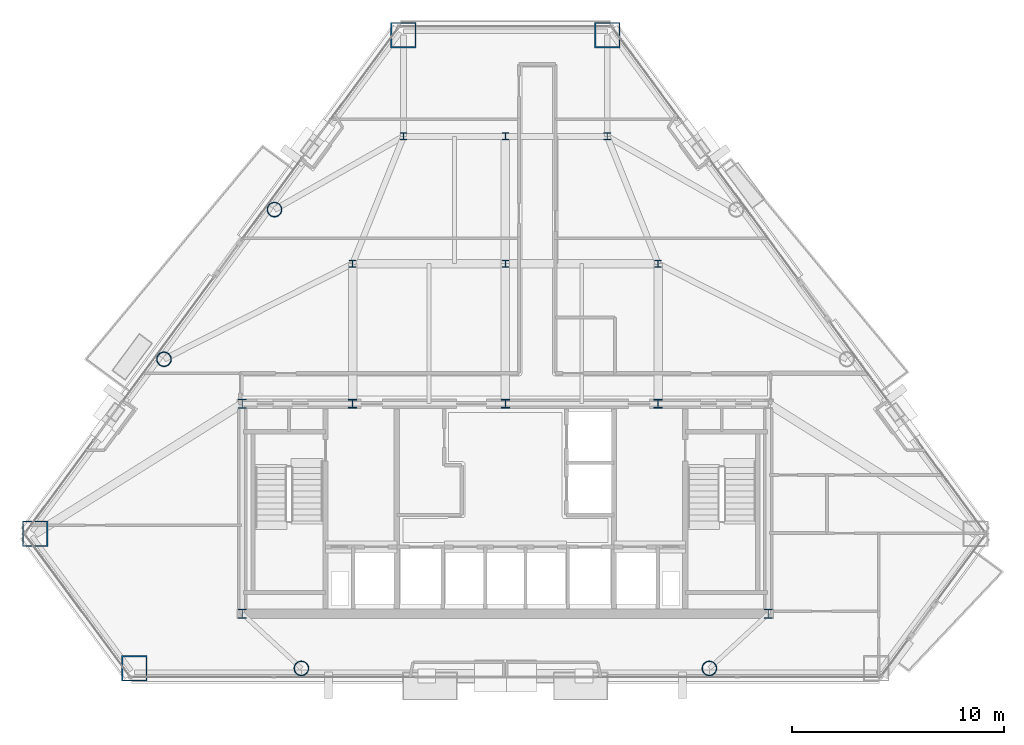
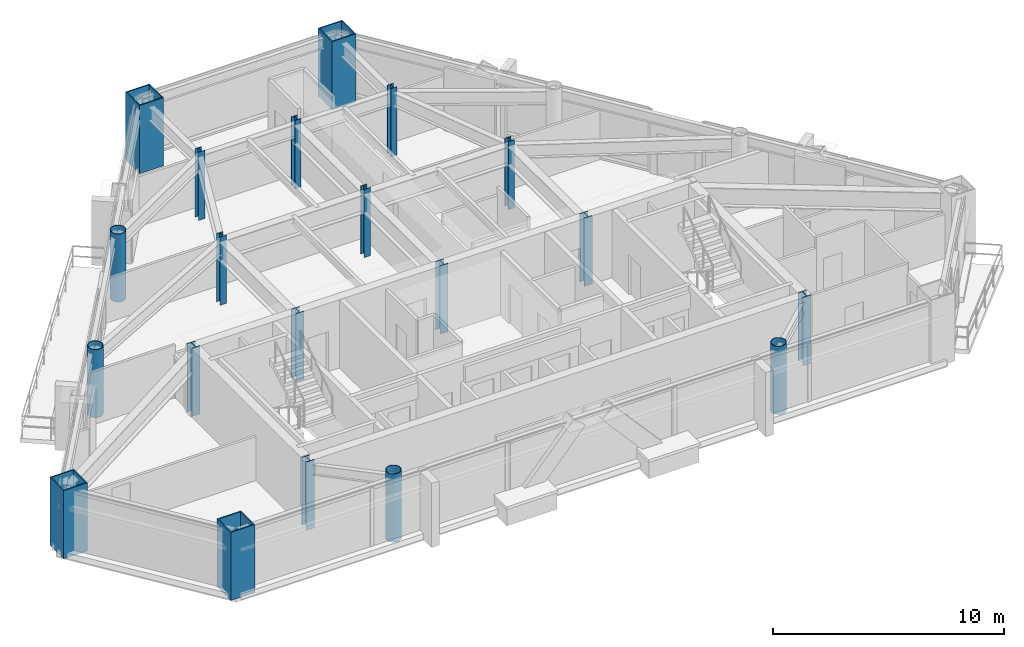
# One storey, part 1 of 11: 20 columns.
"""IFC4 building model written with IfcOpenShell, lengths in metres."""

from ifc_helpers import new_model, si_unit, direction, frame, origin, origin_2d, place, context, subcontext, project, spatial, hollow_rectangle, hollow_circle, i_section, extrude, material, material_profile, profile_set, type_object, element, save


model = new_model("IFC4")

# Units and contexts
model_context = context("Model", 3, precision=1e-05, world=origin(), true_north=direction((0.0, 1.0)))
body_context = subcontext(model_context, "Body", "Model", "MODEL_VIEW")
ifc_project = project(units=[si_unit("LENGTHUNIT", "METRE"), si_unit("AREAUNIT", "SQUARE_METRE"), si_unit("VOLUMEUNIT", "CUBIC_METRE"), si_unit("PLANEANGLEUNIT", "RADIAN"), si_unit("MASSUNIT", "GRAM", prefix="KILO")], contexts=[model_context])

# Site, building, storey
site_placement = place(None, origin())
site = spatial("IfcSite", under=ifc_project, at=site_placement, CompositionType="ELEMENT")
building_placement = place(site_placement, origin())
building = spatial("IfcBuilding", under=site, at=building_placement, Name="Talgorran Terracotta Tower", CompositionType="ELEMENT")
storey_placement = place(building_placement, frame((0.0, 0.0, 147.300048828125)))
storey = spatial("IfcBuildingStorey", under=building, at=storey_placement, Name="L38", CompositionType="ELEMENT", Elevation=147.300048828125)

# Columns
ifc_material_1 = material(Name="Steel S355 (300PLUS)", Category="steel")
ifc_material_profile_1 = material_profile(ifc_material_1, i_section(OverallWidth=0.311279296875, OverallDepth=0.3271484375, WebThickness=0.015625, FlangeThickness=0.02490234375, at=origin_2d()), Name="310UC158")
ifc_profile_set_1 = profile_set([ifc_material_profile_1], Name="Steel S355 (300PLUS)")
column_type_1 = type_object("IfcColumnType", Name="COL_310UC158", PredefinedType="COLUMN", material=ifc_profile_set_1)
for number, where, z_axis, x_axis, name in (
    (1, (-7.199951171875, 2.39990234375, 0.0), (0.0, 0.0, 1.0), (1.0, 0.0, 0.0), "L38 Interior Gravity Column IC1"),
    (2, (0.0, 2.39990234375, 0.0), (0.0, 0.0, 1.0), (1.0, 0.0, 0.0), "L38 Interior Gravity Column IC2"),
    (3, (7.199951171875, 2.39990234375, 0.0), (0.0, 0.0, 1.0), (1.0, 0.0, 0.0), "L38 Interior Gravity Column IC3"),
    (4, (-4.800048828125, 8.39990234375, 0.0), (0.0, 0.0, 1.0), (1.0, 0.0, 0.0), "L38 Interior Gravity Column IC4"),
    (5, (0.0, 8.39990234375, 0.0), (0.0, 0.0, 1.0), (1.0, 0.0, 0.0), "L38 Interior Gravity Column IC5"),
    (6, (4.800048828125, 8.39990234375, 0.0), (0.0, 0.0, 1.0), (1.0, 0.0, 0.0), "L38 Interior Gravity Column IC6"),
):
    element("IfcColumn", number, at=place(storey_placement, frame(where, z_axis=z_axis, x_axis=x_axis)), inside=storey, type_object=column_type_1, Name=name, PredefinedType="COLUMN", context=body_context, shape_type="SweptSolid", body=[
        extrude(i_section(OverallWidth=0.311279296875, OverallDepth=0.3271484375, WebThickness=0.015625, FlangeThickness=0.02490234375, at=origin_2d()), origin(), (0.0, 0.0, 1.0), 3.599853515625),
    ])
ifc_material_profile_2 = material_profile(ifc_material_1, i_section(OverallWidth=0.39990234375, OverallDepth=0.43994140625, WebThickness=0.028076171875, FlangeThickness=0.0400390625, at=origin_2d()), Name="400WC328")
ifc_profile_set_2 = profile_set([ifc_material_profile_2], Name="Steel S355 (300PLUS)")
column_type_2 = type_object("IfcColumnType", Name="COL_400WC328", PredefinedType="COLUMN", material=ifc_profile_set_2)
for number, where, z_axis, x_axis, name in (
    (7, (-12.39990234375, -14.10009765625, 0.0), (0.0, 0.0, 1.0), (1.0, 0.0, 0.0), "L38 Core Boundary Column CC1"),
    (8, (12.39990234375, -14.10009765625, 0.0), (0.0, 0.0, 1.0), (1.0, 0.0, 0.0), "L38 Core Boundary Column CC2"),
    (9, (-12.39990234375, -4.199951171875, 0.0), (0.0, 0.0, 1.0), (1.0, 0.0, 0.0), "L38 Core Boundary Column CC4"),
):
    element("IfcColumn", number, at=place(storey_placement, frame(where, z_axis=z_axis, x_axis=x_axis)), inside=storey, type_object=column_type_2, Name=name, PredefinedType="COLUMN", context=body_context, shape_type="SweptSolid", body=[
        extrude(i_section(OverallWidth=0.39990234375, OverallDepth=0.43994140625, WebThickness=0.028076171875, FlangeThickness=0.0400390625, at=origin_2d()), origin(), (0.0, 0.0, 1.0), 3.599853515625),
    ])
ifc_material_2 = material(Name="Steel Grade 350 (350L0)", Category="steel")
ifc_material_profile_3 = material_profile(ifc_material_2, hollow_rectangle(XDim=1.199951171875, YDim=1.199951171875, WallThickness=0.054931640625, at=origin_2d()), Name="CFT1200X1200X55")
ifc_profile_set_3 = profile_set([ifc_material_profile_3], Name="Steel Grade 350 (350L0)")
column_type_3 = type_object("IfcColumnType", Name="COL_CFT_1200", PredefinedType="COLUMN", material=ifc_profile_set_3)
for number, where, z_axis, x_axis, name in (
    (10, (-22.168212890625, -10.331298828125, 0.0), (0.0, 0.0, 1.0), (1.0, 0.0, 0.0), "L38 Corner CFT Mega-Column MC1"),
    (11, (-17.483642578125, -16.67431640625, 0.0), (0.0, 0.0, 1.0), (1.0, 0.0, 0.0), "L38 Corner CFT Mega-Column MC2"),
    (12, (4.80615234375, 13.177978515625, 0.0), (0.0, 0.0, 1.0), (1.0, 0.0, 0.0), "L38 Corner CFT Mega-Column MC5"),
    (13, (-4.80615234375, 13.177978515625, 0.0), (0.0, 0.0, 1.0), (1.0, 0.0, 0.0), "L38 Corner CFT Mega-Column MC6"),
):
    element("IfcColumn", number, at=place(storey_placement, frame(where, z_axis=z_axis, x_axis=x_axis)), inside=storey, type_object=column_type_3, Name=name, PredefinedType="COLUMN", context=body_context, shape_type="SweptSolid", body=[
        extrude(hollow_rectangle(XDim=1.199951171875, YDim=1.199951171875, WallThickness=0.054931640625, at=origin_2d()), origin(), (0.0, 0.0, 1.0), 3.599853515625),
    ])
ifc_material_profile_4 = material_profile(ifc_material_2, hollow_circle(Radius=0.35009765625, WallThickness=0.030029296875, at=origin_2d()), Name="CHS700X30")
ifc_profile_set_4 = profile_set([ifc_material_profile_4], Name="Steel Grade 350 (350L0)")
column_type_4 = type_object("IfcColumnType", Name="COL_CHS_700", PredefinedType="COLUMN", material=ifc_profile_set_4)
for number, where, z_axis, x_axis, name in (
    (14, (-9.615966796875, -16.67431640625, 0.0), (0.0, 0.0, 1.0), (1.0, 0.0, 0.0), "L38 Facet Perimeter Column FC1"),
    (15, (9.615966796875, -16.67431640625, 0.0), (0.0, 0.0, 1.0), (1.0, 0.0, 0.0), "L38 Facet Perimeter Column FC2"),
    (16, (-10.8828125, 4.94970703125, 0.0), (0.0, 0.0, 1.0), (1.0, 0.0, 0.0), "L38 Facet Perimeter Column FC5"),
    (17, (-16.091552734375, -2.10302734375, 0.0), (0.0, 0.0, 1.0), (1.0, 0.0, 0.0), "L38 Facet Perimeter Column FC6"),
):
    element("IfcColumn", number, at=place(storey_placement, frame(where, z_axis=z_axis, x_axis=x_axis)), inside=storey, type_object=column_type_4, Name=name, PredefinedType="COLUMN", context=body_context, shape_type="SweptSolid", body=[
        extrude(hollow_circle(Radius=0.35009765625, WallThickness=0.030029296875, at=origin_2d()), origin(), (0.0, 0.0, 1.0), 3.599853515625),
    ])
ifc_material_profile_5 = material_profile(ifc_material_1, i_section(OverallWidth=0.405029296875, OverallDepth=0.4140625, WebThickness=0.02197265625, FlangeThickness=0.031982421875, at=origin_2d()), Name="400WC270")
ifc_profile_set_5 = profile_set([ifc_material_profile_5], Name="Steel S355 (300PLUS)")
column_type_5 = type_object("IfcColumnType", Name="COL_PIL_400WC270", PredefinedType="PILASTER", material=ifc_profile_set_5)
for number, where, z_axis, x_axis, name in (
    (18, (-7.199951171875, -4.199951171875, 0.0), (0.0, 0.0, 1.0), (1.0, 0.0, 0.0), "L38 Core Shear Pilaster CP1"),
    (19, (0.0, -4.199951171875, 0.0), (0.0, 0.0, 1.0), (1.0, 0.0, 0.0), "L38 Core Shear Pilaster CP2"),
    (20, (7.199951171875, -4.199951171875, 0.0), (0.0, 0.0, 1.0), (1.0, 0.0, 0.0), "L38 Core Shear Pilaster CP3"),
):
    element("IfcColumn", number, at=place(storey_placement, frame(where, z_axis=z_axis, x_axis=x_axis)), inside=storey, type_object=column_type_5, Name=name, PredefinedType="PILASTER", context=body_context, shape_type="SweptSolid", body=[
        extrude(i_section(OverallWidth=0.405029296875, OverallDepth=0.4140625, WebThickness=0.02197265625, FlangeThickness=0.031982421875, at=origin_2d()), origin(), (0.0, 0.0, 1.0), 3.599853515625),
    ])

save(model, "model.ifc")
